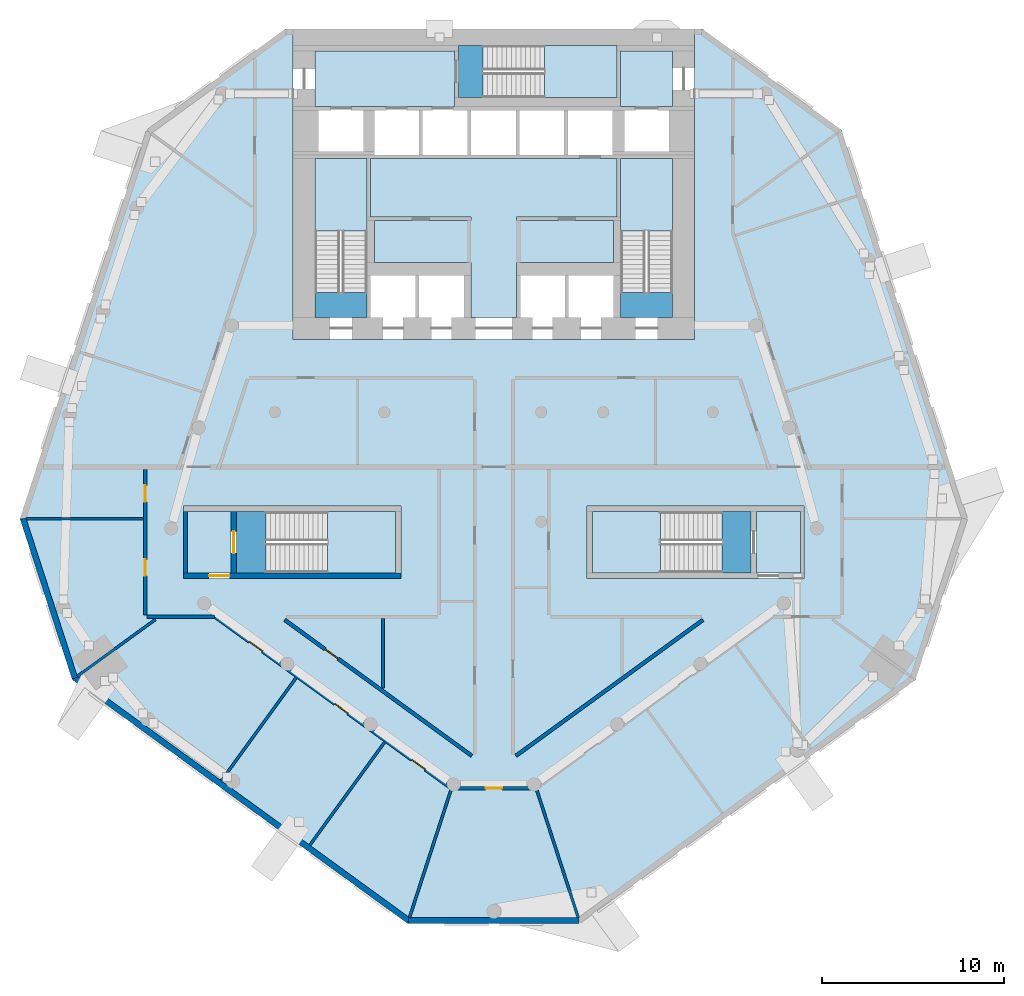
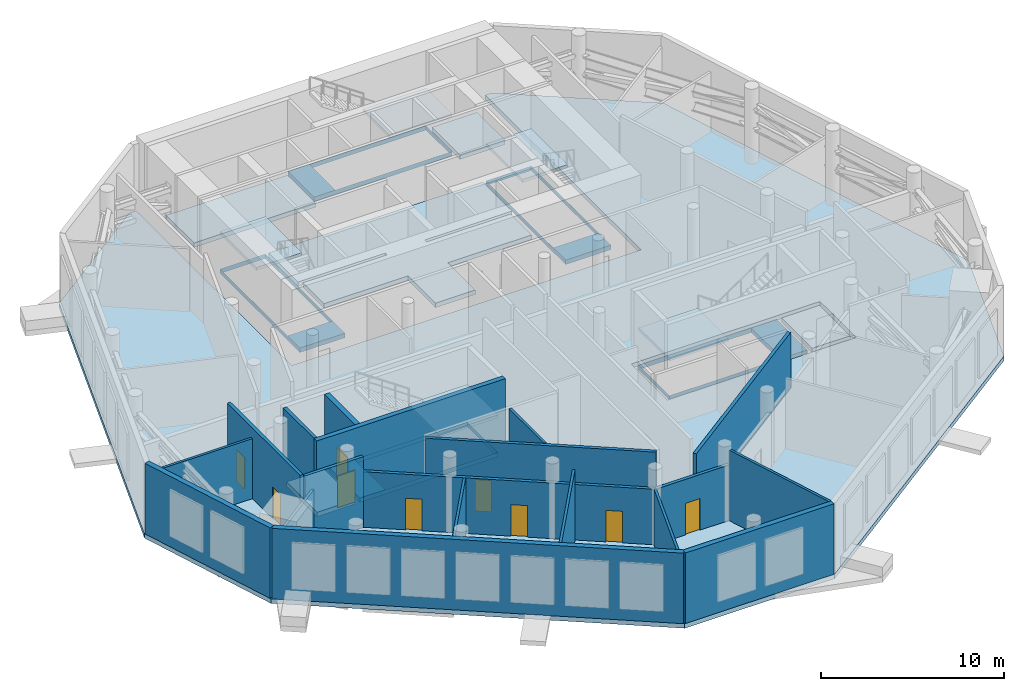
# One storey, part 6 of 15: 19 walls, 16 slabs, 9 doors, 9 openings, 5 elements without a shape of their own.
"""IFC4 building model written with IfcOpenShell, lengths in metres."""

from ifc_helpers import new_model, si_unit, direction, frame, frame_2d, origin, place, context, subcontext, project, spatial, polyline, rectangle, outline, extrude, material, layer, layer_set, type_object, element, fill, aggregate, save


model = new_model("IFC4")

# Units and contexts
model_context = context("Model", 3, precision=1e-05, world=origin(), true_north=direction((0.0, 1.0)))
body_context = subcontext(model_context, "Body", "Model", "MODEL_VIEW")
ifc_project = project(units=[si_unit("LENGTHUNIT", "METRE"), si_unit("AREAUNIT", "SQUARE_METRE"), si_unit("VOLUMEUNIT", "CUBIC_METRE"), si_unit("PLANEANGLEUNIT", "RADIAN"), si_unit("MASSUNIT", "GRAM", prefix="KILO")], contexts=[model_context])

# Site, building, storey
site_placement = place(None, origin())
site = spatial("IfcSite", under=ifc_project, at=site_placement, CompositionType="ELEMENT")
building_placement = place(site_placement, origin())
building = spatial("IfcBuilding", under=site, at=building_placement, Name="White Candle Pilgrim Tower", CompositionType="ELEMENT")
storey_placement = place(building_placement, frame((0.0, 0.0, 85.800048828125)))
storey = spatial("IfcBuildingStorey", under=building, at=storey_placement, Name="L18", CompositionType="ELEMENT", Elevation=85.800048828125)

# Slabs
ifc_material_1 = material(Name="Concrete C40/50", Category="concrete")
ifc_layer_1 = layer(ifc_material_1, 0.300048828125)
ifc_layer_set_1 = layer_set([ifc_layer_1], Name="Core floor slab 300 mm Concrete C40/50")
slab_type_1 = type_object("IfcSlabType", Name="Core floor slab 300 mm Concrete C40/50", PredefinedType="FLOOR", material=ifc_layer_set_1)
slab_1_placement = place(storey_placement, frame((0.0, 0.0, -0.300048828125)))
element("IfcSlab", 1, at=slab_1_placement, inside=storey, type_object=slab_type_1, Name="CF-L18-01", PredefinedType="FLOOR", context=body_context, shape_type="SweptSolid", body=[
    extrude(outline(polyline([(55.60009765625, 58.199951171875), (53.199951171875, 58.199951171875), (53.199951171875, 61.550048828125), (55.60009765625, 61.550048828125), (55.60009765625, 58.199951171875)])), origin(), (0.0, 0.0, 1.0), 0.300048828125),
])
slab_2_placement = place(storey_placement, frame((0.0, 0.0, -0.300048828125)))
element("IfcSlab", 2, at=slab_2_placement, inside=storey, type_object=slab_type_1, Name="CF-L18-02", PredefinedType="FLOOR", context=body_context, shape_type="SweptSolid", body=[
    extrude(outline(polyline([(55.89990234375, 58.199951171875), (55.89990234375, 61.550048828125), (64.60009765625, 61.550048828125), (64.60009765625, 58.199951171875), (55.89990234375, 58.199951171875)]), holes=[polyline([(57.501953125, 61.548095703125), (57.501953125, 58.201904296875), (64.597900390625, 58.201904296875), (64.597900390625, 61.548095703125), (57.501953125, 61.548095703125)])]), origin(), (0.0, 0.0, 1.0), 0.300048828125),
])
slab_3_placement = place(storey_placement, frame((0.0, 0.0, -0.300048828125)))
element("IfcSlab", 3, at=slab_3_placement, inside=storey, type_object=slab_type_1, Name="CF-L18-03", PredefinedType="FLOOR", context=body_context, shape_type="SweptSolid", body=[
    extrude(outline(polyline([(75.39990234375, 58.199951171875), (75.39990234375, 61.550048828125), (84.10009765625, 61.550048828125), (84.10009765625, 58.199951171875), (75.39990234375, 58.199951171875)]), holes=[polyline([(82.498046875, 58.201904296875), (82.498046875, 61.548095703125), (75.402099609375, 61.548095703125), (75.402099609375, 58.201904296875), (82.498046875, 58.201904296875)])]), origin(), (0.0, 0.0, 1.0), 0.300048828125),
])
slab_4_placement = place(storey_placement, frame((0.0, 0.0, -0.300048828125)))
element("IfcSlab", 4, at=slab_4_placement, inside=storey, type_object=slab_type_1, Name="CF-L18-04", PredefinedType="FLOOR", context=body_context, shape_type="SweptSolid", body=[
    extrude(outline(polyline([(86.800048828125, 58.199951171875), (84.39990234375, 58.199951171875), (84.39990234375, 61.550048828125), (86.800048828125, 61.550048828125), (86.800048828125, 58.199951171875)])), origin(), (0.0, 0.0, 1.0), 0.300048828125),
])
slab_5_placement = place(storey_placement, frame((0.0, 0.0, -0.300048828125)))
element("IfcSlab", 5, at=slab_5_placement, inside=storey, type_object=slab_type_1, Name="CF-L18-05", PredefinedType="FLOOR", context=body_context, shape_type="SweptSolid", body=[
    extrude(outline(polyline([(76.75, 87.10009765625), (76.75, 86.800048828125), (76.75, 84.25), (68.050048828125, 84.25), (68.050048828125, 86.800048828125), (68.050048828125, 87.10009765625), (76.75, 87.10009765625)]), holes=[polyline([(69.402099609375, 87.097900390625), (69.402099609375, 84.251953125), (76.748046875, 84.251953125), (76.748046875, 87.097900390625), (69.402099609375, 87.097900390625)])]), origin(), (0.0, 0.0, 1.0), 0.300048828125),
])
slab_6_placement = place(storey_placement, frame((0.0, 0.0, -0.300048828125)))
element("IfcSlab", 6, at=slab_6_placement, inside=storey, type_object=slab_type_1, Name="CF-L18-06", PredefinedType="FLOOR", context=body_context, shape_type="SweptSolid", body=[
    extrude(outline(polyline([(79.800048828125, 86.800048828125), (79.800048828125, 83.75), (76.949951171875, 83.75), (76.949951171875, 84.25), (76.949951171875, 86.800048828125), (79.800048828125, 86.800048828125)])), origin(), (0.0, 0.0, 1.0), 0.300048828125),
])
slab_7_placement = place(storey_placement, frame((0.0, 0.0, -0.300048828125)))
element("IfcSlab", 7, at=slab_7_placement, inside=storey, type_object=slab_type_1, Name="CF-L18-07", PredefinedType="FLOOR", context=body_context, shape_type="SweptSolid", body=[
    extrude(outline(polyline([(79.800048828125, 72.199951171875), (76.949951171875, 72.199951171875), (76.949951171875, 74.5), (76.949951171875, 75.199951171875), (76.949951171875, 77.5), (76.949951171875, 77.699951171875), (76.949951171875, 80.89990234375), (79.800048828125, 80.89990234375), (79.800048828125, 72.199951171875)]), holes=[polyline([(76.951904296875, 73.552001953125), (79.798095703125, 73.552001953125), (79.798095703125, 80.89794921875), (76.951904296875, 80.89794921875), (76.951904296875, 73.552001953125)])]), origin(), (0.0, 0.0, 1.0), 0.300048828125),
])
slab_8_placement = place(storey_placement, frame((0.0, 0.0, -0.300048828125)))
element("IfcSlab", 8, at=slab_8_placement, inside=storey, type_object=slab_type_1, Name="CF-L18-08", PredefinedType="FLOOR", context=body_context, shape_type="SweptSolid", body=[
    extrude(outline(polyline([(68.75, 72.199951171875), (68.75, 74.5), (68.75, 75.199951171875), (63.449951171875, 75.199951171875), (63.449951171875, 77.5), (68.75, 77.5), (68.75, 77.699951171875), (63.25, 77.699951171875), (63.25, 80.89990234375), (76.75, 80.89990234375), (76.75, 77.699951171875), (71.25, 77.699951171875), (71.25, 77.5), (76.550048828125, 77.5), (76.550048828125, 75.199951171875), (71.25, 75.199951171875), (71.25, 74.5), (71.25, 72.199951171875), (68.75, 72.199951171875)])), origin(), (0.0, 0.0, 1.0), 0.300048828125),
])
slab_9_placement = place(storey_placement, frame((0.0, 0.0, -0.300048828125)))
element("IfcSlab", 9, at=slab_9_placement, inside=storey, type_object=slab_type_1, Name="CF-L18-09", PredefinedType="FLOOR", context=body_context, shape_type="SweptSolid", body=[
    extrude(outline(polyline([(60.199951171875, 72.199951171875), (60.199951171875, 80.89990234375), (63.050048828125, 80.89990234375), (63.050048828125, 77.699951171875), (63.050048828125, 77.5), (63.050048828125, 75.199951171875), (63.050048828125, 74.5), (63.050048828125, 72.199951171875), (60.199951171875, 72.199951171875)]), holes=[polyline([(60.201904296875, 73.552001953125), (63.048095703125, 73.552001953125), (63.048095703125, 80.89794921875), (60.201904296875, 80.89794921875), (60.201904296875, 73.552001953125)])]), origin(), (0.0, 0.0, 1.0), 0.300048828125),
])
slab_10_placement = place(storey_placement, frame((0.0, 0.0, -0.300048828125)))
element("IfcSlab", 10, at=slab_10_placement, inside=storey, type_object=slab_type_1, Name="CF-L18-10", PredefinedType="FLOOR", context=body_context, shape_type="SweptSolid", body=[
    extrude(outline(polyline([(60.199951171875, 86.800048828125), (67.85009765625, 86.800048828125), (67.85009765625, 84.25), (67.85009765625, 83.75), (60.199951171875, 83.75), (60.199951171875, 86.800048828125)])), origin(), (0.0, 0.0, 1.0), 0.300048828125),
])
ifc_layer_2 = layer(ifc_material_1, 0.300048828125)
ifc_layer_set_2 = layer_set([ifc_layer_2], Name="Floor slab 300 REI 240")
slab_type_2 = type_object("IfcSlabType", Name="Floor slab 300 REI 240", PredefinedType="FLOOR", material=ifc_layer_set_2)
slab_11_placement = place(storey_placement, frame((0.0, 0.0, -0.300048828125)))
element("IfcSlab", 11, at=slab_11_placement, inside=storey, type_object=slab_type_2, Name="L18 floor slab", PredefinedType="FLOOR", context=body_context, shape_type="SweptSolid", body=[
    extrude(outline(polyline([(65.27197265625, 38.984375), (74.72802734375, 38.984375), (93.103271484375, 52.334716796875), (95.97216796875, 61.163818359375), (89.049560546875, 82.46923828125), (81.43701171875, 88.0), (81.0, 88.0), (81.0, 71.0), (59.0, 71.0), (59.0, 88.0), (58.56298828125, 88.0), (50.950439453125, 82.46923828125), (44.02783203125, 61.163818359375), (46.896728515625, 52.334716796875), (65.27197265625, 38.984375)]), holes=[polyline([(53.0, 57.89990234375), (53.0, 61.85009765625), (64.89990234375, 61.85009765625), (64.89990234375, 57.89990234375), (53.0, 57.89990234375)]), polyline([(75.10009765625, 57.89990234375), (75.10009765625, 61.85009765625), (87.0, 61.85009765625), (87.0, 57.89990234375), (75.10009765625, 57.89990234375)])]), origin(), (0.0, 0.0, 1.0), 0.300048828125),
])

# Stair, slab
stair_type_1 = type_object("IfcStairType", Name="Exit stair 1 flight width 1350 mm", PredefinedType="HALF_TURN_STAIR", material=ifc_material_1)
stair_1_placement = place(storey_placement, origin())
stair_1 = element("IfcStair", 12, at=stair_1_placement, inside=storey, type_object=stair_type_1, Name="L18 stair 1", PredefinedType="NOTDEFINED")
ifc_layer_3 = layer(ifc_material_1, 0.199951171875)
ifc_layer_set_3 = layer_set([ifc_layer_3], Name="Stair landing Concrete C40/50")
slab_type_3 = type_object("IfcSlabType", Name="Stair landing Concrete C40/50", PredefinedType="LANDING", material=ifc_layer_set_3)
slab_12_placement = place(storey_placement, frame((0.0, 0.0, 2.300048828125)))
slab_12 = element("IfcSlab", 13, at=slab_12_placement, type_object=slab_type_3, Name="ST1 landing 1", PredefinedType="LANDING", context=body_context, shape_type="SweptSolid", body=[
    extrude(outline(polyline([(63.052001953125, 76.927978515625), (60.197998046875, 76.927978515625), (60.197998046875, 80.902099609375), (63.052001953125, 80.902099609375), (63.052001953125, 76.927978515625)])), origin(), (0.0, 0.0, 1.0), 0.199951171875),
])
aggregate(stair_1, [slab_12])

stair_type_2 = type_object("IfcStairType", Name="Exit stair 2 flight width 1350 mm", PredefinedType="HALF_TURN_STAIR", material=ifc_material_1)
stair_2_placement = place(storey_placement, origin())
stair_2 = element("IfcStair", 14, at=stair_2_placement, inside=storey, type_object=stair_type_2, Name="L18 stair 2", PredefinedType="NOTDEFINED")
slab_13_placement = place(storey_placement, frame((0.0, 0.0, 2.300048828125)))
slab_13 = element("IfcSlab", 15, at=slab_13_placement, type_object=slab_type_3, Name="ST2 landing 1", PredefinedType="LANDING", context=body_context, shape_type="SweptSolid", body=[
    extrude(outline(polyline([(79.802001953125, 76.927978515625), (76.947998046875, 76.927978515625), (76.947998046875, 80.902099609375), (79.802001953125, 80.902099609375), (79.802001953125, 76.927978515625)])), origin(), (0.0, 0.0, 1.0), 0.199951171875),
])
aggregate(stair_2, [slab_13])

stair_type_3 = type_object("IfcStairType", Name="Exit stair 3 flight width 1350 mm", PredefinedType="HALF_TURN_STAIR", material=ifc_material_1)
stair_3_placement = place(storey_placement, origin())
stair_3 = element("IfcStair", 16, at=stair_3_placement, inside=storey, type_object=stair_type_3, Name="L18 stair 3", PredefinedType="NOTDEFINED")
slab_14_placement = place(storey_placement, frame((0.0, 0.0, 2.300048828125)))
slab_14 = element("IfcSlab", 17, at=slab_14_placement, type_object=slab_type_3, Name="ST3 landing 1", PredefinedType="LANDING", context=body_context, shape_type="SweptSolid", body=[
    extrude(outline(polyline([(72.778076171875, 84.248046875), (72.778076171875, 87.10205078125), (76.751953125, 87.10205078125), (76.751953125, 84.248046875), (72.778076171875, 84.248046875)])), origin(), (0.0, 0.0, 1.0), 0.199951171875),
])
aggregate(stair_3, [slab_14])

stair_type_4 = type_object("IfcStairType", Name="Exit stair 4 flight width 1600 mm", PredefinedType="HALF_TURN_STAIR", material=ifc_material_1)
stair_4_placement = place(storey_placement, origin())
stair_4 = element("IfcStair", 18, at=stair_4_placement, inside=storey, type_object=stair_type_4, Name="L18 stair 4", PredefinedType="NOTDEFINED")
slab_15_placement = place(storey_placement, frame((0.0, 0.0, 2.300048828125)))
slab_15 = element("IfcSlab", 19, at=slab_15_placement, type_object=slab_type_3, Name="ST4 landing 1", PredefinedType="LANDING", context=body_context, shape_type="SweptSolid", body=[
    extrude(outline(polyline([(79.1220703125, 61.552001953125), (79.1220703125, 58.197998046875), (75.39794921875, 58.197998046875), (75.39794921875, 61.552001953125), (79.1220703125, 61.552001953125)])), origin(), (0.0, 0.0, 1.0), 0.199951171875),
])
aggregate(stair_4, [slab_15])

stair_type_5 = type_object("IfcStairType", Name="Exit stair 5 flight width 1600 mm", PredefinedType="HALF_TURN_STAIR", material=ifc_material_1)
stair_5_placement = place(storey_placement, origin())
stair_5 = element("IfcStair", 20, at=stair_5_placement, inside=storey, type_object=stair_type_5, Name="L18 stair 5", PredefinedType="NOTDEFINED")
slab_16_placement = place(storey_placement, frame((0.0, 0.0, 2.300048828125)))
slab_16 = element("IfcSlab", 21, at=slab_16_placement, type_object=slab_type_3, Name="ST5 landing 1", PredefinedType="LANDING", context=body_context, shape_type="SweptSolid", body=[
    extrude(outline(polyline([(60.8779296875, 58.197998046875), (60.8779296875, 61.552001953125), (64.60205078125, 61.552001953125), (64.60205078125, 58.197998046875), (60.8779296875, 58.197998046875)])), origin(), (0.0, 0.0, 1.0), 0.199951171875),
])
aggregate(stair_5, [slab_16])

# Wall
ifc_material_2 = material(Name="Concrete C70/85", Category="concrete")
ifc_layer_4 = layer(ifc_material_2, 0.199951171875)
ifc_layer_set_4 = layer_set([ifc_layer_4], Name="Core wall 200 mm Concrete C70/85")
wall_type_1 = type_object("IfcWallType", Name="Core wall 200 mm Concrete C70/85", PredefinedType="SHEAR", material=ifc_layer_set_4)
wall_1_placement = place(storey_placement, frame((53.10009765625, 58.199951171875, 0.0), z_axis=(0.0, 0.0, 1.0), x_axis=(0.0, 1.0, 0.0)))
element("IfcWall", 22, at=wall_1_placement, inside=storey, type_object=wall_type_1, Name="WL-L18-C03", PredefinedType="SHEAR", context=body_context, shape_type="SweptSolid", body=[
    extrude(rectangle(XDim=3.35009765625, YDim=0.199951171875, at=frame_2d((1.675048828125, 0.0))), origin(), (0.0, 0.0, 1.0), 5.0),
])

# Wall, opening, door
ifc_material_3 = material(Name="Gypsum board on steel studs", Category="steel")
ifc_layer_5 = layer(ifc_material_3, 0.199951171875)
ifc_layer_set_5 = layer_set([ifc_layer_5], Name="Corridor wall 200 mm EI 45")
wall_type_2 = type_object("IfcWallType", Name="Corridor wall 200 mm EI 45", PredefinedType="PARTITIONING", material=ifc_layer_set_5)
wall_2_placement = place(storey_placement, frame((72.291015625, 46.38427734375, 0.0), z_axis=(0.0, 0.0, 1.0), x_axis=(-1.0, 0.0, 0.0)))
wall_2 = element("IfcWall", 23, at=wall_2_placement, inside=storey, type_object=wall_type_2, Name="WL-L18-P009", PredefinedType="PARTITIONING", context=body_context, shape_type="SweptSolid", body=[
    extrude(rectangle(XDim=4.58203125, YDim=0.199951171875, at=frame_2d((2.291015625, 0.0))), origin(), (0.0, 0.0, 1.0), 3.699951171875),
])
opening_1_placement = place(wall_2_placement, frame((1.841064453125, 0.0, 0.0)))
opening_1 = element("IfcOpeningElement", 24, at=opening_1_placement, cuts=wall_2, Name="Opening L18-105", PredefinedType="OPENING", context=body_context, shape_type="SweptSolid", body=[
    extrude(rectangle(XDim=0.89990234375, YDim=2.10009765625, at=frame_2d((0.449951171875, 1.050048828125))), frame((0.0, 0.10986328125, 0.0), z_axis=(0.0, -1.0, 0.0), x_axis=(1.0, 0.0, 0.0)), (0.0, 0.0, 1.0), 0.219970703125),
])
ifc_material_4 = material(Name="Steel door leaf", Category="steel")
door_type_1 = type_object("IfcDoorType", Name="Fire door 900 x 2100 EI 30", OperationType="NOTDEFINED", PredefinedType="DOOR", material=ifc_material_4)
door_1_placement = place(opening_1_placement, origin())
door_1 = element("IfcDoor", 25, at=door_1_placement, inside=storey, type_object=door_type_1, Name="Door L18-105", OperationType="SINGLE_SWING_LEFT", OverallHeight=2.10009765625, OverallWidth=0.89990234375, PredefinedType="DOOR", context=body_context, shape_type="SweptSolid", body=[
    extrude(rectangle(XDim=0.89990234375, YDim=2.10009765625, at=frame_2d((0.449951171875, 1.050048828125))), frame((0.0, 0.02490234375, 0.0), z_axis=(0.0, -1.0, 0.0), x_axis=(1.0, 0.0, 0.0)), (0.0, 0.0, 1.0), 0.050048828125),
])
fill(opening_1, door_1)

# Wall, openings, doors
wall_3_placement = place(storey_placement, frame((67.650146484375, 46.4033203125, 0.0), z_axis=(0.0, 0.0, 1.0), x_axis=(-0.809010618519, 0.587794027805, 0.0)))
wall_3 = element("IfcWall", 26, at=wall_3_placement, inside=storey, type_object=wall_type_2, Name="WL-L18-P010", PredefinedType="PARTITIONING", context=body_context, shape_type="SweptSolid", body=[
    extrude(rectangle(XDim=15.9541015625, YDim=0.199951171875, at=frame_2d((7.97705078125, 0.0))), origin(), (0.0, 0.0, 1.0), 3.699951171875),
])
opening_2_placement = place(wall_3_placement, frame((12.7529296875, 0.0, 0.0)))
opening_2 = element("IfcOpeningElement", 27, at=opening_2_placement, cuts=wall_3, Name="Opening L18-102", PredefinedType="OPENING", context=body_context, shape_type="SweptSolid", body=[
    extrude(rectangle(XDim=0.89990234375, YDim=2.10009765625, at=frame_2d((0.449951171875, 1.050048828125))), frame((0.0, 0.10986328125, 0.0), z_axis=(0.0, -1.0, 0.0), x_axis=(1.0, 0.0, 0.0)), (0.0, 0.0, 1.0), 0.219970703125),
])
opening_3_placement = place(wall_3_placement, frame((6.969482421875, 0.0, 0.0)))
opening_3 = element("IfcOpeningElement", 28, at=opening_3_placement, cuts=wall_3, Name="Opening L18-103", PredefinedType="OPENING", context=body_context, shape_type="SweptSolid", body=[
    extrude(rectangle(XDim=0.89990234375, YDim=2.10009765625, at=frame_2d((0.449951171875, 1.050048828125))), frame((0.0, 0.10986328125, 0.0), z_axis=(0.0, -1.0, 0.0), x_axis=(1.0, 0.0, 0.0)), (0.0, 0.0, 1.0), 0.219970703125),
])
opening_4_placement = place(wall_3_placement, frame((1.743408203125, 0.0, 0.0)))
opening_4 = element("IfcOpeningElement", 29, at=opening_4_placement, cuts=wall_3, Name="Opening L18-104", PredefinedType="OPENING", context=body_context, shape_type="SweptSolid", body=[
    extrude(rectangle(XDim=0.89990234375, YDim=2.10009765625, at=frame_2d((0.449951171875, 1.050048828125))), frame((0.0, 0.10986328125, 0.0), z_axis=(0.0, -1.0, 0.0), x_axis=(1.0, 0.0, 0.0)), (0.0, 0.0, 1.0), 0.219970703125),
])
door_2_placement = place(opening_2_placement, origin())
door_2 = element("IfcDoor", 30, at=door_2_placement, inside=storey, type_object=door_type_1, Name="Door L18-102", OperationType="SINGLE_SWING_RIGHT", OverallHeight=2.10009765625, OverallWidth=0.89990234375, PredefinedType="DOOR", context=body_context, shape_type="SweptSolid", body=[
    extrude(rectangle(XDim=0.89990234375, YDim=2.10009765625, at=frame_2d((0.449951171875, 1.050048828125))), frame((0.0, 0.02490234375, 0.0), z_axis=(0.0, -1.0, 0.0), x_axis=(1.0, 0.0, 0.0)), (0.0, 0.0, 1.0), 0.050048828125),
])
fill(opening_2, door_2)
door_3_placement = place(opening_3_placement, origin())
door_3 = element("IfcDoor", 31, at=door_3_placement, inside=storey, type_object=door_type_1, Name="Door L18-103", OperationType="SINGLE_SWING_LEFT", OverallHeight=2.10009765625, OverallWidth=0.89990234375, PredefinedType="DOOR", context=body_context, shape_type="SweptSolid", body=[
    extrude(rectangle(XDim=0.89990234375, YDim=2.10009765625, at=frame_2d((0.449951171875, 1.050048828125))), frame((0.0, 0.02490234375, 0.0), z_axis=(0.0, -1.0, 0.0), x_axis=(1.0, 0.0, 0.0)), (0.0, 0.0, 1.0), 0.050048828125),
])
fill(opening_3, door_3)
door_4_placement = place(opening_4_placement, origin())
door_4 = element("IfcDoor", 32, at=door_4_placement, inside=storey, type_object=door_type_1, Name="Door L18-104", OperationType="SINGLE_SWING_RIGHT", OverallHeight=2.10009765625, OverallWidth=0.89990234375, PredefinedType="DOOR", context=body_context, shape_type="SweptSolid", body=[
    extrude(rectangle(XDim=0.89990234375, YDim=2.10009765625, at=frame_2d((0.449951171875, 1.050048828125))), frame((0.0, 0.02490234375, 0.0), z_axis=(0.0, -1.0, 0.0), x_axis=(1.0, 0.0, 0.0)), (0.0, 0.0, 1.0), 0.050048828125),
])
fill(opening_4, door_4)

# Wall
wall_4_placement = place(storey_placement, frame((54.684326171875, 55.800048828125, 0.0), z_axis=(0.0, 0.0, 1.0), x_axis=(-1.0, 0.0, 0.0)))
element("IfcWall", 33, at=wall_4_placement, inside=storey, type_object=wall_type_2, Name="WL-L18-P011", PredefinedType="PARTITIONING", context=body_context, shape_type="SweptSolid", body=[
    extrude(rectangle(XDim=3.684326171875, YDim=0.199951171875, at=frame_2d((1.84228515625, 0.0))), origin(), (0.0, 0.0, 1.0), 4.699951171875),
])

# Wall, openings, doors
wall_5_placement = place(storey_placement, frame((50.89990234375, 55.89990234375, 0.0), z_axis=(0.0, 0.0, 1.0), x_axis=(0.0, 1.0, 0.0)))
wall_5 = element("IfcWall", 34, at=wall_5_placement, inside=storey, type_object=wall_type_2, Name="WL-L18-P012", PredefinedType="PARTITIONING", context=body_context, shape_type="SweptSolid", body=[
    extrude(rectangle(XDim=7.9501953125, YDim=0.199951171875, at=frame_2d((3.97509765625, 0.0))), origin(), (0.0, 0.0, 1.0), 4.699951171875),
])
opening_5_placement = place(wall_5_placement, frame((2.1318359375, 0.0, 0.0)))
opening_5 = element("IfcOpeningElement", 35, at=opening_5_placement, cuts=wall_5, Name="Opening L18-101", PredefinedType="OPENING", context=body_context, shape_type="SweptSolid", body=[
    extrude(rectangle(XDim=0.89990234375, YDim=2.10009765625, at=frame_2d((0.449951171875, 1.050048828125))), frame((0.0, 0.10986328125, 0.0), z_axis=(0.0, -1.0, 0.0), x_axis=(1.0, 0.0, 0.0)), (0.0, 0.0, 1.0), 0.219970703125),
])
opening_6_placement = place(wall_5_placement, frame((6.1943359375, 0.0, 0.0)))
opening_6 = element("IfcOpeningElement", 36, at=opening_6_placement, cuts=wall_5, Name="Opening L18-118", PredefinedType="OPENING", context=body_context, shape_type="SweptSolid", body=[
    extrude(rectangle(XDim=0.89990234375, YDim=2.10009765625, at=frame_2d((0.449951171875, 1.050048828125))), frame((0.0, 0.10986328125, 0.0), z_axis=(0.0, -1.0, 0.0), x_axis=(1.0, 0.0, 0.0)), (0.0, 0.0, 1.0), 0.219970703125),
])
door_5_placement = place(opening_5_placement, origin())
door_5 = element("IfcDoor", 37, at=door_5_placement, inside=storey, type_object=door_type_1, Name="Door L18-101", OperationType="SINGLE_SWING_LEFT", OverallHeight=2.10009765625, OverallWidth=0.89990234375, PredefinedType="DOOR", context=body_context, shape_type="SweptSolid", body=[
    extrude(rectangle(XDim=0.89990234375, YDim=2.10009765625, at=frame_2d((0.449951171875, 1.050048828125))), frame((0.0, 0.02490234375, 0.0), z_axis=(0.0, -1.0, 0.0), x_axis=(1.0, 0.0, 0.0)), (0.0, 0.0, 1.0), 0.050048828125),
])
fill(opening_5, door_5)
door_6_placement = place(opening_6_placement, origin())
door_6 = element("IfcDoor", 38, at=door_6_placement, inside=storey, type_object=door_type_1, Name="Door L18-118", OperationType="SINGLE_SWING_RIGHT", OverallHeight=2.10009765625, OverallWidth=0.89990234375, PredefinedType="DOOR", context=body_context, shape_type="SweptSolid", body=[
    extrude(rectangle(XDim=0.89990234375, YDim=2.10009765625, at=frame_2d((0.449951171875, 1.050048828125))), frame((0.0, 0.02490234375, 0.0), z_axis=(0.0, -1.0, 0.0), x_axis=(1.0, 0.0, 0.0)), (0.0, 0.0, 1.0), 0.050048828125),
])
fill(opening_6, door_6)

# Wall
wall_6_placement = place(storey_placement, frame((71.208740234375, 48.170166015625, 0.0), z_axis=(0.0, 0.0, 1.0), x_axis=(0.809018400234, 0.587783317289, 0.0)))
element("IfcWall", 39, at=wall_6_placement, inside=storey, type_object=wall_type_2, Name="WL-L18-P017", PredefinedType="PARTITIONING", context=body_context, shape_type="SweptSolid", body=[
    extrude(rectangle(XDim=12.673095703125, YDim=0.199951171875, at=frame_2d((6.33642578125, 0.0))), origin(), (0.0, 0.0, 1.0), 3.699951171875),
])

# Wall, opening, door
wall_7_placement = place(storey_placement, frame((58.53857421875, 55.619140625, 0.0), z_axis=(0.0, 0.0, 1.0), x_axis=(0.809018400234, -0.587783317289, 0.0)))
wall_7 = element("IfcWall", 40, at=wall_7_placement, inside=storey, type_object=wall_type_2, Name="WL-L18-P026", PredefinedType="PARTITIONING", context=body_context, shape_type="SweptSolid", body=[
    extrude(rectangle(XDim=12.673095703125, YDim=0.199951171875, at=frame_2d((6.33642578125, 0.0))), origin(), (0.0, 0.0, 1.0), 4.699951171875),
])
opening_7_placement = place(wall_7_placement, frame((2.7255859375, 0.0, 0.0)))
opening_7 = element("IfcOpeningElement", 41, at=opening_7_placement, cuts=wall_7, Name="Opening L18-113", PredefinedType="OPENING", context=body_context, shape_type="SweptSolid", body=[
    extrude(rectangle(XDim=0.89990234375, YDim=2.10009765625, at=frame_2d((0.449951171875, 1.050048828125))), frame((0.0, 0.10986328125, 0.0), z_axis=(0.0, -1.0, 0.0), x_axis=(1.0, 0.0, 0.0)), (0.0, 0.0, 1.0), 0.219970703125),
])
door_7_placement = place(opening_7_placement, origin())
door_7 = element("IfcDoor", 42, at=door_7_placement, inside=storey, type_object=door_type_1, Name="Door L18-113", OperationType="SINGLE_SWING_LEFT", OverallHeight=2.10009765625, OverallWidth=0.89990234375, PredefinedType="DOOR", context=body_context, shape_type="SweptSolid", body=[
    extrude(rectangle(XDim=0.89990234375, YDim=2.10009765625, at=frame_2d((0.449951171875, 1.050048828125))), frame((0.0, 0.02490234375, 0.0), z_axis=(0.0, -1.0, 0.0), x_axis=(1.0, 0.0, 0.0)), (0.0, 0.0, 1.0), 0.050048828125),
])
fill(opening_7, door_7)

# Walls
ifc_material_5 = material(Name="Precast concrete C40/50", Category="concrete")
ifc_layer_6 = layer(ifc_material_5, 0.320068359375)
ifc_layer_set_6 = layer_set([ifc_layer_6], Name="Facade wall EW2 precast concrete C40/50 plant wall behind louvres")
wall_type_3 = type_object("IfcWallType", Name="Facade wall EW2 precast concrete C40/50 plant wall behind louvres", PredefinedType="SOLIDWALL", material=ifc_layer_set_6)
wall_8_placement = place(storey_placement, frame((44.196044921875, 61.163818359375, 0.0), z_axis=(0.0, 0.0, 1.0), x_axis=(0.309021723461, -0.951054979709, 0.0)))
element("IfcWall", 43, at=wall_8_placement, inside=storey, type_object=wall_type_3, Name="Facade wall L18 W chamfer", PredefinedType="SOLIDWALL", context=body_context, shape_type="SweptSolid", body=[
    extrude(rectangle(XDim=9.179443359375, YDim=0.320068359375, at=frame_2d((4.58984375, 0.0))), origin(), (0.0, 0.0, 1.0), 4.699951171875),
])
wall_9_placement = place(storey_placement, frame((47.03271484375, 52.43359375, 0.0), z_axis=(0.0, 0.0, 1.0), x_axis=(0.809018497564, -0.587783183325, 0.0)))
element("IfcWall", 44, at=wall_9_placement, inside=storey, type_object=wall_type_3, Name="Facade wall L18 SW", PredefinedType="SOLIDWALL", context=body_context, shape_type="SweptSolid", body=[
    extrude(rectangle(XDim=22.609130859375, YDim=0.320068359375, at=frame_2d((11.3046875, 0.0))), origin(), (0.0, 0.0, 1.0), 4.699951171875),
])
wall_10_placement = place(storey_placement, frame((65.323974609375, 39.144287109375, 0.0), z_axis=(0.0, 0.0, 1.0), x_axis=(1.0, 0.0, 0.0)))
element("IfcWall", 45, at=wall_10_placement, inside=storey, type_object=wall_type_3, Name="Facade wall L18 S chamfer", PredefinedType="SOLIDWALL", context=body_context, shape_type="SweptSolid", body=[
    extrude(rectangle(XDim=9.35205078125, YDim=0.320068359375, at=frame_2d((4.676025390625, 0.0))), origin(), (0.0, 0.0, 1.0), 4.699951171875),
])
ifc_layer_7 = layer(ifc_material_3, 0.14990234375)
ifc_layer_set_7 = layer_set([ifc_layer_7], Name="Partition 150 mm EI 60")
wall_type_4 = type_object("IfcWallType", Name="Partition 150 mm EI 60", PredefinedType="PARTITIONING", material=ifc_layer_set_7)
wall_11_placement = place(storey_placement, frame((44.364501953125, 61.163818359375, 0.0), z_axis=(0.0, 0.0, 1.0), x_axis=(1.0, 0.0, 0.0)))
element("IfcWall", 46, at=wall_11_placement, inside=storey, type_object=wall_type_4, Name="WL-L18-P028", PredefinedType="PARTITIONING", context=body_context, shape_type="SweptSolid", body=[
    extrude(rectangle(XDim=6.435546875, YDim=0.14990234375, at=frame_2d((3.2177734375, 0.0))), origin(), (0.0, 0.0, 1.0), 4.0),
])
wall_12_placement = place(storey_placement, frame((47.1689453125, 52.532470703125, 0.0), z_axis=(0.0, 0.0, 1.0), x_axis=(0.809003648196, 0.587803621293, 0.0)))
element("IfcWall", 47, at=wall_12_placement, inside=storey, type_object=wall_type_4, Name="WL-L18-P029", PredefinedType="PARTITIONING", context=body_context, shape_type="SweptSolid", body=[
    extrude(rectangle(XDim=5.28564453125, YDim=0.14990234375, at=frame_2d((2.642822265625, 0.0))), origin(), (0.0, 0.0, 1.0), 3.699951171875),
])
wall_13_placement = place(storey_placement, frame((65.3759765625, 39.30419921875, 0.0), z_axis=(0.0, 0.0, 1.0), x_axis=(0.309013310507, 0.951057713249, 0.0)))
element("IfcWall", 48, at=wall_13_placement, inside=storey, type_object=wall_type_4, Name="WL-L18-P030", PredefinedType="PARTITIONING", context=body_context, shape_type="SweptSolid", body=[
    extrude(rectangle(XDim=7.359375, YDim=0.14990234375, at=frame_2d((3.6796875, 0.0))), origin(), (0.0, 0.0, 1.0), 3.699951171875),
])
wall_14_placement = place(storey_placement, frame((74.6240234375, 39.30419921875, 0.0), z_axis=(0.0, 0.0, 1.0), x_axis=(-0.309013310507, 0.951057713249, 0.0)))
element("IfcWall", 49, at=wall_14_placement, inside=storey, type_object=wall_type_4, Name="WL-L18-P031", PredefinedType="PARTITIONING", context=body_context, shape_type="SweptSolid", body=[
    extrude(rectangle(XDim=7.359375, YDim=0.14990234375, at=frame_2d((3.6796875, 0.0))), origin(), (0.0, 0.0, 1.0), 4.699951171875),
])
wall_15_placement = place(storey_placement, frame((55.058837890625, 46.800048828125, 0.0), z_axis=(0.0, 0.0, 1.0), x_axis=(0.587786885163, 0.809015808023, 0.0)))
element("IfcWall", 50, at=wall_15_placement, inside=storey, type_object=wall_type_4, Name="WL-L18-P036", PredefinedType="PARTITIONING", context=body_context, shape_type="SweptSolid", body=[
    extrude(rectangle(XDim=6.97998046875, YDim=0.14990234375, at=frame_2d((3.489990234375, 0.0))), origin(), (0.0, 0.0, 1.0), 3.699951171875),
])
wall_16_placement = place(storey_placement, frame((59.9130859375, 43.273193359375, 0.0), z_axis=(0.0, 0.0, 1.0), x_axis=(0.587747359625, 0.809044523654, 0.0)))
element("IfcWall", 51, at=wall_16_placement, inside=storey, type_object=wall_type_4, Name="WL-L18-P037", PredefinedType="PARTITIONING", context=body_context, shape_type="SweptSolid", body=[
    extrude(rectangle(XDim=6.980224609375, YDim=0.14990234375, at=frame_2d((3.490234375, 0.0))), origin(), (0.0, 0.0, 1.0), 4.699951171875),
])
wall_17_placement = place(storey_placement, frame((63.92578125, 51.883056640625, 0.0), z_axis=(0.0, 0.0, 1.0), x_axis=(0.0, 1.0, 0.0)))
element("IfcWall", 52, at=wall_17_placement, inside=storey, type_object=wall_type_4, Name="WL-L18-P042", PredefinedType="PARTITIONING", context=body_context, shape_type="SweptSolid", body=[
    extrude(rectangle(XDim=3.81689453125, YDim=0.14990234375, at=frame_2d((1.908447265625, 0.0))), origin(), (0.0, 0.0, 1.0), 4.699951171875),
])

# Wall, opening, door
ifc_layer_8 = layer(ifc_material_2, 0.300048828125)
ifc_layer_set_8 = layer_set([ifc_layer_8], Name="Stair shaft wall 300 mm Concrete C70/85")
wall_type_5 = type_object("IfcWallType", Name="Stair shaft wall 300 mm Concrete C70/85", PredefinedType="SHEAR", material=ifc_layer_set_8)
wall_18_placement = place(storey_placement, frame((53.0, 58.050048828125, 0.0), z_axis=(0.0, 0.0, 1.0), x_axis=(1.0, 0.0, 0.0)))
wall_18 = element("IfcWall", 53, at=wall_18_placement, inside=storey, type_object=wall_type_5, Name="WL-L18-C01", PredefinedType="SHEAR", context=body_context, shape_type="SweptSolid", body=[
    extrude(rectangle(XDim=11.89990234375, YDim=0.300048828125, at=frame_2d((5.949951171875, 0.0))), origin(), (0.0, 0.0, 1.0), 5.0),
])
opening_8_placement = place(wall_18_placement, frame((1.39990234375, 0.0, 0.0)))
opening_8 = element("IfcOpeningElement", 54, at=opening_8_placement, cuts=wall_18, Name="Opening L18-007", PredefinedType="OPENING", context=body_context, shape_type="SweptSolid", body=[
    extrude(rectangle(XDim=1.10009765625, YDim=2.10009765625, at=frame_2d((0.550048828125, 1.050048828125))), frame((0.0, 0.159912109375, 0.0), z_axis=(0.0, -1.0, 0.0), x_axis=(1.0, 0.0, 0.0)), (0.0, 0.0, 1.0), 0.320068359375),
])
door_type_2 = type_object("IfcDoorType", Name="Fire door 1100 x 2100 EI 60", OperationType="NOTDEFINED", PredefinedType="DOOR", material=ifc_material_4)
door_8_placement = place(opening_8_placement, origin())
door_8 = element("IfcDoor", 55, at=door_8_placement, inside=storey, type_object=door_type_2, Name="Door L18-007", OperationType="SINGLE_SWING_LEFT", OverallHeight=2.10009765625, OverallWidth=1.10009765625, PredefinedType="DOOR", context=body_context, shape_type="SweptSolid", body=[
    extrude(rectangle(XDim=1.10009765625, YDim=2.10009765625, at=frame_2d((0.550048828125, 1.050048828125))), frame((0.0, 0.02490234375, 0.0), z_axis=(0.0, -1.0, 0.0), x_axis=(1.0, 0.0, 0.0)), (0.0, 0.0, 1.0), 0.050048828125),
])
fill(opening_8, door_8)

wall_19_placement = place(storey_placement, frame((55.75, 58.199951171875, 0.0), z_axis=(0.0, 0.0, 1.0), x_axis=(0.0, 1.0, 0.0)))
wall_19 = element("IfcWall", 56, at=wall_19_placement, inside=storey, type_object=wall_type_5, Name="WL-L18-C04", PredefinedType="SHEAR", context=body_context, shape_type="SweptSolid", body=[
    extrude(rectangle(XDim=3.35009765625, YDim=0.300048828125, at=frame_2d((1.675048828125, 0.0))), origin(), (0.0, 0.0, 1.0), 5.0),
])
opening_9_placement = place(wall_19_placement, frame((1.074951171875, 0.0, 0.0)))
opening_9 = element("IfcOpeningElement", 57, at=opening_9_placement, cuts=wall_19, Name="Opening L18-008", PredefinedType="OPENING", context=body_context, shape_type="SweptSolid", body=[
    extrude(rectangle(XDim=1.199951171875, YDim=2.10009765625, at=frame_2d((0.60009765625, 1.050048828125))), frame((0.0, 0.159912109375, 0.0), z_axis=(0.0, -1.0, 0.0), x_axis=(1.0, 0.0, 0.0)), (0.0, 0.0, 1.0), 0.320068359375),
])
door_type_3 = type_object("IfcDoorType", Name="Fire door 1200 x 2100 EI 60", OperationType="NOTDEFINED", PredefinedType="DOOR", material=ifc_material_4)
door_9_placement = place(opening_9_placement, frame((1.199951171875, 0.0, 0.0), z_axis=(0.0, 0.0, 1.0), x_axis=(-1.0, 0.0, 0.0)))
door_9 = element("IfcDoor", 58, at=door_9_placement, inside=storey, type_object=door_type_3, Name="Door L18-008", OperationType="SINGLE_SWING_LEFT", OverallHeight=2.10009765625, OverallWidth=1.199951171875, PredefinedType="DOOR", context=body_context, shape_type="SweptSolid", body=[
    extrude(rectangle(XDim=1.199951171875, YDim=2.10009765625, at=frame_2d((0.60009765625, 1.050048828125))), frame((0.0, 0.02490234375, 0.0), z_axis=(0.0, -1.0, 0.0), x_axis=(1.0, 0.0, 0.0)), (0.0, 0.0, 1.0), 0.050048828125),
])
fill(opening_9, door_9)

save(model, "model.ifc")
